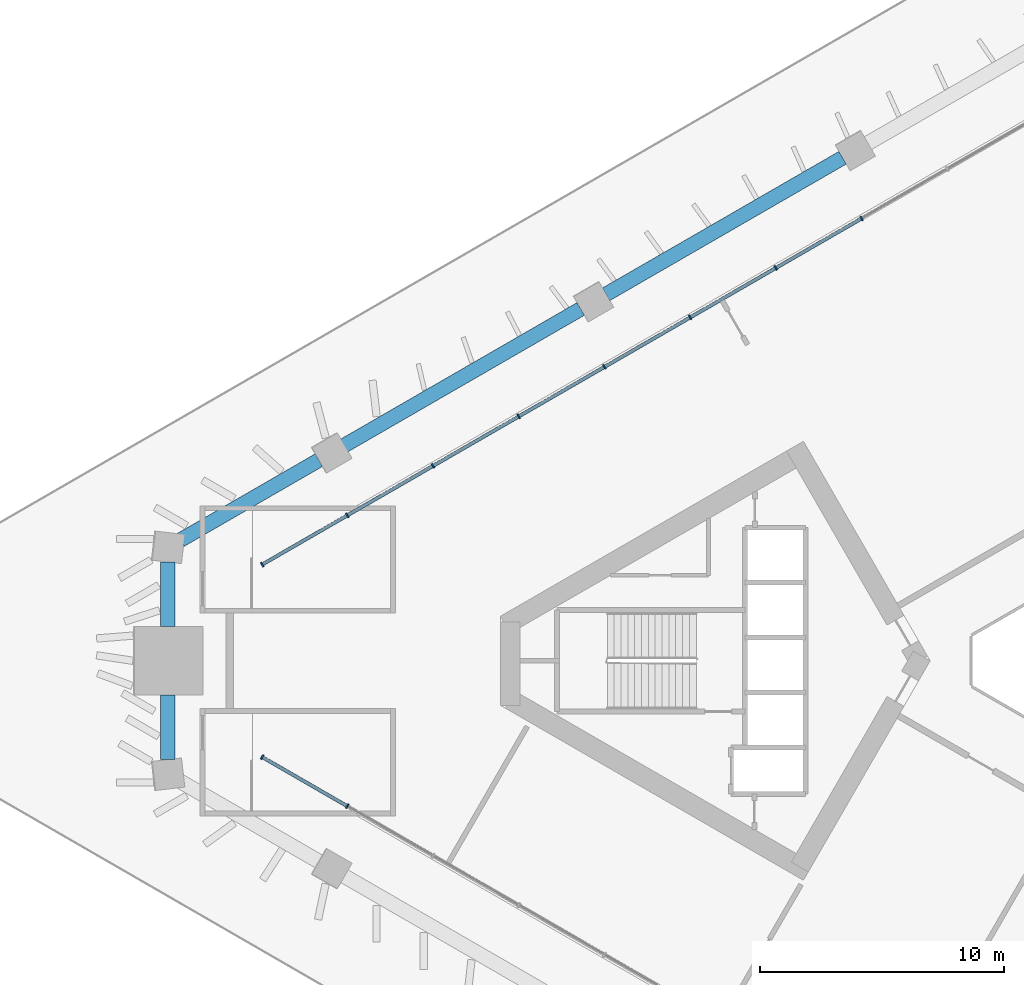
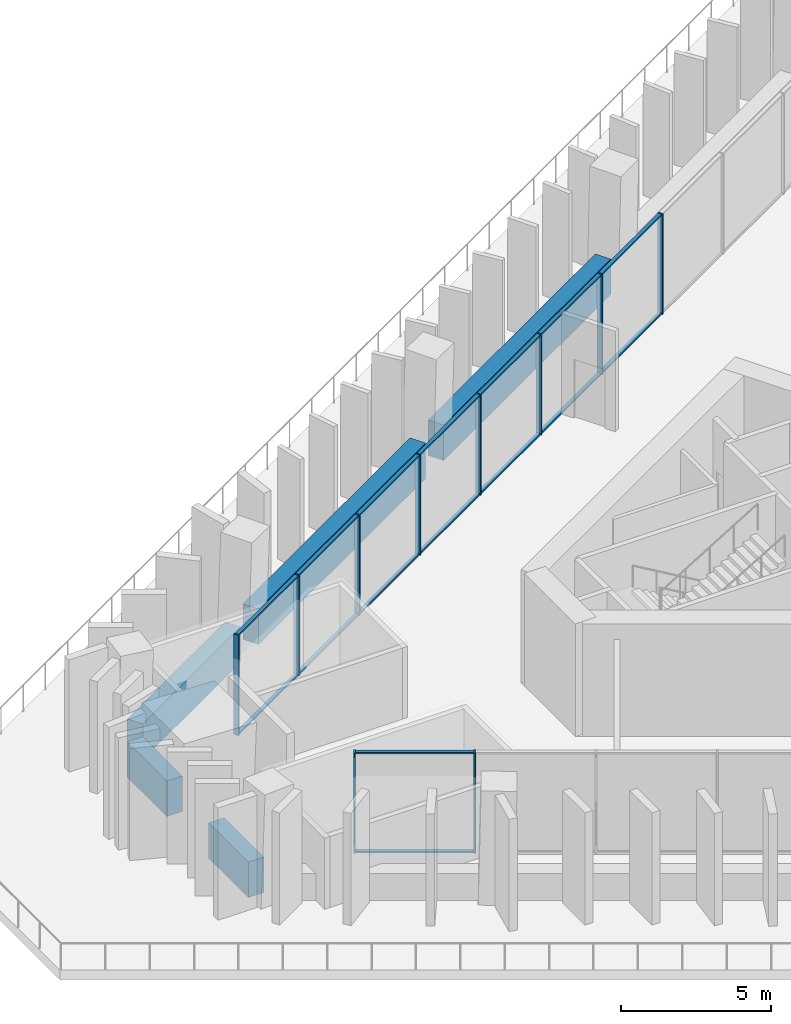
# One storey, part 5 of 31: 26 members, 5 beams, 2 elements without a shape of their own.
"""IFC4 building model written with IfcOpenShell, lengths in metres."""

from ifc_helpers import new_model, si_unit, direction, frame, origin, origin_2d, place, context, subcontext, project, spatial, rectangle, extrude, material, layer, layer_set, material_profile, profile_set, type_object, element, aggregate, save


model = new_model("IFC4")

# Units and contexts
model_context = context("Model", 3, precision=1e-05, world=origin(), true_north=direction((0.0, 1.0)))
body_context = subcontext(model_context, "Body", "Model", "MODEL_VIEW")
ifc_project = project(units=[si_unit("LENGTHUNIT", "METRE"), si_unit("AREAUNIT", "SQUARE_METRE"), si_unit("VOLUMEUNIT", "CUBIC_METRE"), si_unit("PLANEANGLEUNIT", "RADIAN"), si_unit("MASSUNIT", "GRAM", prefix="KILO")], contexts=[model_context])

# Site, building, storey
site_placement = place(None, origin())
site = spatial("IfcSite", under=ifc_project, at=site_placement, CompositionType="ELEMENT")
building_placement = place(site_placement, origin())
building = spatial("IfcBuilding", under=site, at=building_placement, Name="Jabali Bay Hotel Tower and Convention Centre", CompositionType="ELEMENT")
storey_placement = place(building_placement, frame((0.0, 0.0, 25.39990234375)))
storey = spatial("IfcBuildingStorey", under=building, at=storey_placement, Name="L04", CompositionType="ELEMENT", Elevation=25.39990234375)

# Curtain wall, members
ifc_material_1 = material(Name="Aluminium and glass", Category="aluminium")
ifc_layer = layer(ifc_material_1, 0.199951171875)
ifc_layer_set = layer_set([ifc_layer], Name="Aluminium and glass")
curtain_wall_type = type_object("IfcCurtainWallType", Name="CW6 curtain wall", PredefinedType="NOTDEFINED", material=ifc_layer_set)
curtain_wall_1_placement = place(storey_placement, origin())
curtain_wall_1 = element("IfcCurtainWall", 1, at=curtain_wall_1_placement, inside=storey, type_object=curtain_wall_type, Name="CW6 curtain wall north-west face L04", PredefinedType="NOTDEFINED")
ifc_material_2 = material(Name="Aluminium", Category="aluminium")
ifc_material_profile_1 = material_profile(ifc_material_2, rectangle(XDim=0.199951171875, YDim=0.06005859375, at=origin_2d()), Name="CW6 mullion 60 x 200")
ifc_profile_set_1 = profile_set([ifc_material_profile_1], Name="Aluminium")
member_type_1 = type_object("IfcMemberType", Name="CW6 mullion 60 x 200", PredefinedType="MULLION", material=ifc_profile_set_1)
member_1_placement = place(storey_placement, frame((38.64208984375, 83.942138671875, 0.0), z_axis=(0.0, 0.0, 1.0), x_axis=(-0.499999997944, 0.866025404971, 0.0)))
member_1 = element("IfcMember", 2, at=member_1_placement, type_object=member_type_1, Name="CW6 mullion 1", PredefinedType="MULLION", context=body_context, shape_type="SweptSolid", body=[
    extrude(rectangle(XDim=0.199951171875, YDim=0.06005859375, at=origin_2d()), origin(), (0.0, 0.0, 1.0), 4.10009765625),
])
member_2_placement = place(storey_placement, frame((42.126953125, 85.953857421875, 0.0), z_axis=(0.0, 0.0, 1.0), x_axis=(-0.499999997944, 0.866025404971, 0.0)))
member_2 = element("IfcMember", 3, at=member_2_placement, type_object=member_type_1, Name="CW6 mullion 2", PredefinedType="MULLION", context=body_context, shape_type="SweptSolid", body=[
    extrude(rectangle(XDim=0.199951171875, YDim=0.06005859375, at=origin_2d()), origin(), (0.0, 0.0, 1.0), 4.10009765625),
])
member_3_placement = place(storey_placement, frame((45.637451171875, 87.98095703125, 0.0), z_axis=(0.0, 0.0, 1.0), x_axis=(-0.499999997944, 0.866025404971, 0.0)))
member_3 = element("IfcMember", 4, at=member_3_placement, type_object=member_type_1, Name="CW6 mullion 3", PredefinedType="MULLION", context=body_context, shape_type="SweptSolid", body=[
    extrude(rectangle(XDim=0.199951171875, YDim=0.06005859375, at=origin_2d()), origin(), (0.0, 0.0, 1.0), 4.10009765625),
])
member_4_placement = place(storey_placement, frame((49.148193359375, 90.0078125, 0.0), z_axis=(0.0, 0.0, 1.0), x_axis=(-0.499999997944, 0.866025404971, 0.0)))
member_4 = element("IfcMember", 5, at=member_4_placement, type_object=member_type_1, Name="CW6 mullion 4", PredefinedType="MULLION", context=body_context, shape_type="SweptSolid", body=[
    extrude(rectangle(XDim=0.199951171875, YDim=0.06005859375, at=origin_2d()), origin(), (0.0, 0.0, 1.0), 4.10009765625),
])
member_5_placement = place(storey_placement, frame((52.658935546875, 92.03466796875, 0.0), z_axis=(0.0, 0.0, 1.0), x_axis=(-0.499999997944, 0.866025404971, 0.0)))
member_5 = element("IfcMember", 6, at=member_5_placement, type_object=member_type_1, Name="CW6 mullion 5", PredefinedType="MULLION", context=body_context, shape_type="SweptSolid", body=[
    extrude(rectangle(XDim=0.199951171875, YDim=0.06005859375, at=origin_2d()), origin(), (0.0, 0.0, 1.0), 4.10009765625),
])
member_6_placement = place(storey_placement, frame((56.169677734375, 94.0615234375, 0.0), z_axis=(0.0, 0.0, 1.0), x_axis=(-0.499999997944, 0.866025404971, 0.0)))
member_6 = element("IfcMember", 7, at=member_6_placement, type_object=member_type_1, Name="CW6 mullion 6", PredefinedType="MULLION", context=body_context, shape_type="SweptSolid", body=[
    extrude(rectangle(XDim=0.199951171875, YDim=0.06005859375, at=origin_2d()), origin(), (0.0, 0.0, 1.0), 4.10009765625),
])
member_7_placement = place(storey_placement, frame((59.68017578125, 96.08837890625, 0.0), z_axis=(0.0, 0.0, 1.0), x_axis=(-0.499999997944, 0.866025404971, 0.0)))
member_7 = element("IfcMember", 8, at=member_7_placement, type_object=member_type_1, Name="CW6 mullion 7", PredefinedType="MULLION", context=body_context, shape_type="SweptSolid", body=[
    extrude(rectangle(XDim=0.199951171875, YDim=0.06005859375, at=origin_2d()), origin(), (0.0, 0.0, 1.0), 4.10009765625),
])
member_8_placement = place(storey_placement, frame((63.19091796875, 98.115234375, 0.0), z_axis=(0.0, 0.0, 1.0), x_axis=(-0.499999997944, 0.866025404971, 0.0)))
member_8 = element("IfcMember", 9, at=member_8_placement, type_object=member_type_1, Name="CW6 mullion 8", PredefinedType="MULLION", context=body_context, shape_type="SweptSolid", body=[
    extrude(rectangle(XDim=0.199951171875, YDim=0.06005859375, at=origin_2d()), origin(), (0.0, 0.0, 1.0), 4.10009765625),
])

curtain_wall_2_placement = place(storey_placement, origin())
curtain_wall_2 = element("IfcCurtainWall", 10, at=curtain_wall_2_placement, inside=storey, type_object=curtain_wall_type, Name="CW6 curtain wall south-west face L04", PredefinedType="NOTDEFINED")
member_9_placement = place(storey_placement, frame((42.126953125, 74.046142578125, 0.0), z_axis=(0.0, 0.0, 1.0), x_axis=(-0.499999997944, -0.866025404971, 0.0)))
member_9 = element("IfcMember", 11, at=member_9_placement, type_object=member_type_1, Name="CW6 mullion 10", PredefinedType="MULLION", context=body_context, shape_type="SweptSolid", body=[
    extrude(rectangle(XDim=0.199951171875, YDim=0.06005859375, at=origin_2d()), origin(), (0.0, 0.0, 1.0), 4.10009765625),
])
member_10_placement = place(storey_placement, frame((38.64208984375, 76.057861328125, 0.0), z_axis=(0.0, 0.0, 1.0), x_axis=(-0.499999997944, -0.866025404971, 0.0)))
member_10 = element("IfcMember", 12, at=member_10_placement, type_object=member_type_1, Name="CW6 mullion 11", PredefinedType="MULLION", context=body_context, shape_type="SweptSolid", body=[
    extrude(rectangle(XDim=0.199951171875, YDim=0.06005859375, at=origin_2d()), origin(), (0.0, 0.0, 1.0), 4.10009765625),
])

# Member
ifc_material_profile_2 = material_profile(ifc_material_2, rectangle(XDim=0.139892578125, YDim=0.06005859375, at=origin_2d()), Name="CW6 transom 60 x 140")
ifc_profile_set_2 = profile_set([ifc_material_profile_2], Name="Aluminium")
member_type_2 = type_object("IfcMemberType", Name="CW6 transom 60 x 140", PredefinedType="USERDEFINED", material=ifc_profile_set_2)
member_11_placement = place(storey_placement, frame((38.668212890625, 83.95703125, 0.030029296875), z_axis=(0.866013262469, 0.500021028785, 0.0), x_axis=(-0.500021028785, 0.866013262469, 0.0)))
member_11 = element("IfcMember", 13, at=member_11_placement, type_object=member_type_2, Name="CW6 transom 1.1", ObjectType="TRANSOM", PredefinedType="USERDEFINED", context=body_context, shape_type="SweptSolid", body=[
    extrude(rectangle(XDim=0.139892578125, YDim=0.06005859375, at=origin_2d()), origin(), (0.0, 0.0, 1.0), 3.963623046875),
])

member_12_placement = place(storey_placement, frame((38.668212890625, 83.95703125, 4.070068359375), z_axis=(0.866013262469, 0.500021028785, 0.0), x_axis=(-0.500021028785, 0.866013262469, 0.0)))
member_12 = element("IfcMember", 14, at=member_12_placement, type_object=member_type_2, Name="CW6 transom 1.2", ObjectType="TRANSOM", PredefinedType="USERDEFINED", context=body_context, shape_type="SweptSolid", body=[
    extrude(rectangle(XDim=0.139892578125, YDim=0.06005859375, at=origin_2d()), origin(), (0.0, 0.0, 1.0), 3.963623046875),
])

member_13_placement = place(storey_placement, frame((42.15283203125, 85.968994140625, 0.030029296875), z_axis=(0.866033907579, 0.499985270706, 0.0), x_axis=(-0.499985270706, 0.866033907579, 0.0)))
member_13 = element("IfcMember", 15, at=member_13_placement, type_object=member_type_2, Name="CW6 transom 2.1", ObjectType="TRANSOM", PredefinedType="USERDEFINED", context=body_context, shape_type="SweptSolid", body=[
    extrude(rectangle(XDim=0.139892578125, YDim=0.06005859375, at=origin_2d()), origin(), (0.0, 0.0, 1.0), 3.99365234375),
])

member_14_placement = place(storey_placement, frame((42.15283203125, 85.968994140625, 4.070068359375), z_axis=(0.866033907579, 0.499985270706, 0.0), x_axis=(-0.499985270706, 0.866033907579, 0.0)))
member_14 = element("IfcMember", 16, at=member_14_placement, type_object=member_type_2, Name="CW6 transom 2.2", ObjectType="TRANSOM", PredefinedType="USERDEFINED", context=body_context, shape_type="SweptSolid", body=[
    extrude(rectangle(XDim=0.139892578125, YDim=0.06005859375, at=origin_2d()), origin(), (0.0, 0.0, 1.0), 3.99365234375),
])

member_15_placement = place(storey_placement, frame((45.66357421875, 87.995849609375, 0.030029296875), z_axis=(0.866033907579, 0.499985270706, 0.0), x_axis=(-0.499985270706, 0.866033907579, 0.0)))
member_15 = element("IfcMember", 17, at=member_15_placement, type_object=member_type_2, Name="CW6 transom 3.1", ObjectType="TRANSOM", PredefinedType="USERDEFINED", context=body_context, shape_type="SweptSolid", body=[
    extrude(rectangle(XDim=0.139892578125, YDim=0.06005859375, at=origin_2d()), origin(), (0.0, 0.0, 1.0), 3.99365234375),
])

member_16_placement = place(storey_placement, frame((45.66357421875, 87.995849609375, 4.070068359375), z_axis=(0.866033907579, 0.499985270706, 0.0), x_axis=(-0.499985270706, 0.866033907579, 0.0)))
member_16 = element("IfcMember", 18, at=member_16_placement, type_object=member_type_2, Name="CW6 transom 3.2", ObjectType="TRANSOM", PredefinedType="USERDEFINED", context=body_context, shape_type="SweptSolid", body=[
    extrude(rectangle(XDim=0.139892578125, YDim=0.06005859375, at=origin_2d()), origin(), (0.0, 0.0, 1.0), 3.99365234375),
])

member_17_placement = place(storey_placement, frame((49.17431640625, 90.022705078125, 0.030029296875), z_axis=(0.865992152229, 0.500057588962, 0.0), x_axis=(-0.500057588962, 0.865992152229, 0.0)))
member_17 = element("IfcMember", 19, at=member_17_placement, type_object=member_type_2, Name="CW6 transom 4.1", ObjectType="TRANSOM", PredefinedType="USERDEFINED", context=body_context, shape_type="SweptSolid", body=[
    extrude(rectangle(XDim=0.139892578125, YDim=0.06005859375, at=origin_2d()), origin(), (0.0, 0.0, 1.0), 3.99365234375),
])

member_18_placement = place(storey_placement, frame((49.17431640625, 90.022705078125, 4.070068359375), z_axis=(0.865992152229, 0.500057588962, 0.0), x_axis=(-0.500057588962, 0.865992152229, 0.0)))
member_18 = element("IfcMember", 20, at=member_18_placement, type_object=member_type_2, Name="CW6 transom 4.2", ObjectType="TRANSOM", PredefinedType="USERDEFINED", context=body_context, shape_type="SweptSolid", body=[
    extrude(rectangle(XDim=0.139892578125, YDim=0.06005859375, at=origin_2d()), origin(), (0.0, 0.0, 1.0), 3.99365234375),
])

member_19_placement = place(storey_placement, frame((52.684814453125, 92.049560546875, 0.030029296875), z_axis=(0.866007437469, 0.50003111728, 0.0), x_axis=(-0.50003111728, 0.866007437469, 0.0)))
member_19 = element("IfcMember", 21, at=member_19_placement, type_object=member_type_2, Name="CW6 transom 5.1", ObjectType="TRANSOM", PredefinedType="USERDEFINED", context=body_context, shape_type="SweptSolid", body=[
    extrude(rectangle(XDim=0.139892578125, YDim=0.06005859375, at=origin_2d()), origin(), (0.0, 0.0, 1.0), 3.993896484375),
])

member_20_placement = place(storey_placement, frame((52.684814453125, 92.049560546875, 4.070068359375), z_axis=(0.866007437469, 0.50003111728, 0.0), x_axis=(-0.50003111728, 0.866007437469, 0.0)))
member_20 = element("IfcMember", 22, at=member_20_placement, type_object=member_type_2, Name="CW6 transom 5.2", ObjectType="TRANSOM", PredefinedType="USERDEFINED", context=body_context, shape_type="SweptSolid", body=[
    extrude(rectangle(XDim=0.139892578125, YDim=0.06005859375, at=origin_2d()), origin(), (0.0, 0.0, 1.0), 3.993896484375),
])

member_21_placement = place(storey_placement, frame((56.195556640625, 94.07666015625, 0.030029296875), z_axis=(0.866033907579, 0.499985270706, 0.0), x_axis=(-0.499985270706, 0.866033907579, 0.0)))
member_21 = element("IfcMember", 23, at=member_21_placement, type_object=member_type_2, Name="CW6 transom 6.1", ObjectType="TRANSOM", PredefinedType="USERDEFINED", context=body_context, shape_type="SweptSolid", body=[
    extrude(rectangle(XDim=0.139892578125, YDim=0.06005859375, at=origin_2d()), origin(), (0.0, 0.0, 1.0), 3.99365234375),
])

member_22_placement = place(storey_placement, frame((56.195556640625, 94.07666015625, 4.070068359375), z_axis=(0.866033907579, 0.499985270706, 0.0), x_axis=(-0.499985270706, 0.866033907579, 0.0)))
member_22 = element("IfcMember", 24, at=member_22_placement, type_object=member_type_2, Name="CW6 transom 6.2", ObjectType="TRANSOM", PredefinedType="USERDEFINED", context=body_context, shape_type="SweptSolid", body=[
    extrude(rectangle(XDim=0.139892578125, YDim=0.06005859375, at=origin_2d()), origin(), (0.0, 0.0, 1.0), 3.99365234375),
])

member_23_placement = place(storey_placement, frame((59.706298828125, 96.103515625, 0.030029296875), z_axis=(0.866033907579, 0.499985270706, 0.0), x_axis=(-0.499985270706, 0.866033907579, 0.0)))
member_23 = element("IfcMember", 25, at=member_23_placement, type_object=member_type_2, Name="CW6 transom 7.1", ObjectType="TRANSOM", PredefinedType="USERDEFINED", context=body_context, shape_type="SweptSolid", body=[
    extrude(rectangle(XDim=0.139892578125, YDim=0.06005859375, at=origin_2d()), origin(), (0.0, 0.0, 1.0), 3.99365234375),
])

member_24_placement = place(storey_placement, frame((59.706298828125, 96.103515625, 4.070068359375), z_axis=(0.866033907579, 0.499985270706, 0.0), x_axis=(-0.499985270706, 0.866033907579, 0.0)))
member_24 = element("IfcMember", 26, at=member_24_placement, type_object=member_type_2, Name="CW6 transom 7.2", ObjectType="TRANSOM", PredefinedType="USERDEFINED", context=body_context, shape_type="SweptSolid", body=[
    extrude(rectangle(XDim=0.139892578125, YDim=0.06005859375, at=origin_2d()), origin(), (0.0, 0.0, 1.0), 3.99365234375),
])

aggregate(curtain_wall_1, [member_1, member_2, member_3, member_4, member_5, member_6, member_7, member_8, member_11, member_12, member_13, member_14, member_15, member_16, member_17, member_18, member_19, member_20, member_21, member_22, member_23, member_24])

member_25_placement = place(storey_placement, frame((42.100830078125, 74.06103515625, 0.030029296875), z_axis=(-0.866013262469, 0.500021028785, 0.0), x_axis=(-0.500021028785, -0.866013262469, 0.0)))
member_25 = element("IfcMember", 27, at=member_25_placement, type_object=member_type_2, Name="CW6 transom 10.1", ObjectType="TRANSOM", PredefinedType="USERDEFINED", context=body_context, shape_type="SweptSolid", body=[
    extrude(rectangle(XDim=0.139892578125, YDim=0.06005859375, at=origin_2d()), origin(), (0.0, 0.0, 1.0), 3.963623046875),
])

member_26_placement = place(storey_placement, frame((42.100830078125, 74.06103515625, 4.070068359375), z_axis=(-0.866013262469, 0.500021028785, 0.0), x_axis=(-0.500021028785, -0.866013262469, 0.0)))
member_26 = element("IfcMember", 28, at=member_26_placement, type_object=member_type_2, Name="CW6 transom 10.2", ObjectType="TRANSOM", PredefinedType="USERDEFINED", context=body_context, shape_type="SweptSolid", body=[
    extrude(rectangle(XDim=0.139892578125, YDim=0.06005859375, at=origin_2d()), origin(), (0.0, 0.0, 1.0), 3.963623046875),
])

aggregate(curtain_wall_2, [member_9, member_10, member_25, member_26])

# Beams
ifc_material_3 = material(Name="Concrete C60", Category="concrete")
ifc_material_profile_3 = material_profile(ifc_material_3, rectangle(XDim=0.60009765625, YDim=1.449951171875, at=origin_2d()), Name="Spandrel 600x1450")
ifc_profile_set_3 = profile_set([ifc_material_profile_3], Name="Concrete C60")
beam_type = type_object("IfcBeamType", Name="Spandrel 600x1450", PredefinedType="SPANDREL", material=ifc_profile_set_3)
for number, where, z_axis, x_axis, name in (
    (29, (62.412841796875, 100.601806640625, 0.375), (-0.866030381124, -0.499991378895, 0.0), (0.499991378895, -0.866030381124, 0.0), "Spandrel F1.3-F1.4 L04"),
    (30, (51.68701171875, 94.4091796875, 0.375), (-0.866030381124, -0.499991378895, 0.0), (0.499991378895, -0.866030381124, 0.0), "Spandrel F1.4-F1.5 L04"),
):
    element("IfcBeam", number, at=place(storey_placement, frame(where, z_axis=z_axis, x_axis=x_axis)), inside=storey, type_object=beam_type, Name=name, PredefinedType="SPANDREL", context=body_context, shape_type="SweptSolid", body=[
        extrude(rectangle(XDim=0.60009765625, YDim=1.449951171875, at=origin_2d()), origin(), (0.0, 0.0, 1.0), 11.185302734375),
    ])
beam_placement = place(storey_placement, frame((40.961181640625, 88.216552734375, 0.375), z_axis=(-0.86603507536, -0.499983247966, 0.0), x_axis=(0.499983247966, -0.86603507536, 0.0)))
element("IfcBeam", 31, at=beam_placement, inside=storey, type_object=beam_type, Name="Spandrel F1.5-V3 L04", PredefinedType="SPANDREL", context=body_context, shape_type="SweptSolid", body=[
    extrude(rectangle(XDim=0.60009765625, YDim=1.449951171875, at=origin_2d()), origin(), (0.0, 0.0, 1.0), 6.536865234375),
])
for number, where, z_axis, x_axis, name in (
    (32, (34.7802734375, 84.048095703125, 0.375), (0.0, -1.0, 0.0), (1.0, 0.0, 0.0), "Spandrel V3-M0 L04"),
    (33, (34.7802734375, 78.60009765625, 0.375), (0.0, -1.0, 0.0), (1.0, 0.0, 0.0), "Spandrel M0-V4 L04"),
):
    element("IfcBeam", number, at=place(storey_placement, frame(where, z_axis=z_axis, x_axis=x_axis)), inside=storey, type_object=beam_type, Name=name, PredefinedType="SPANDREL", context=body_context, shape_type="SweptSolid", body=[
        extrude(rectangle(XDim=0.60009765625, YDim=1.449951171875, at=origin_2d()), origin(), (0.0, 0.0, 1.0), 2.648193359375),
    ])

save(model, "model.ifc")
